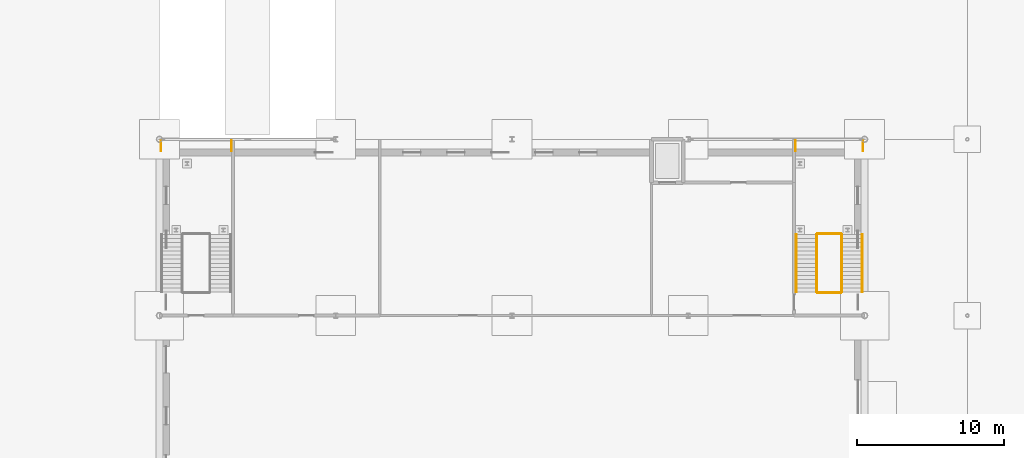
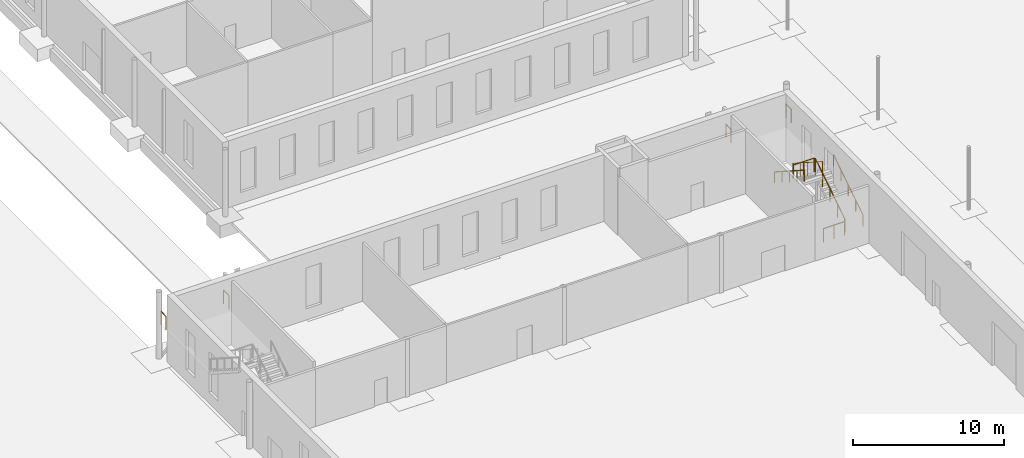
# One storey, part 124 of 132: 10 railings.
"""IFC4 building model written with IfcOpenShell, lengths in metres."""

import ifcopenshell
import ifcopenshell.guid

model = None  # the IFC model being written
_history = None  # IfcOwnerHistory: only IFC2X3 demands one
_inside = {}  # id of a spatial element -> (the spatial element, [elements in it])
_under = {}  # id of a project, library or spatial element -> (it, [spatial elements below it])
_declared = {}  # id of a project -> (the project, [libraries it declares])
_typed = {}  # id of a type object -> (the type object, [elements of that type])
_made_of = {}  # id of a material, layer set ... -> (it, [elements and type objects made of it])


def new_model(schema):
    """Start an empty IFC model of exactly this schema.

    Asked for "IFC4X3", IfcOpenShell would pick the latest addendum, in which some entities
    have other attributes; the version numbers below select the first issue.
    IFC2X3 requires an IfcOwnerHistory on every rooted entity: one is made here for all.
    """
    global model, _history
    if schema == "IFC4X3":
        model = ifcopenshell.file(schema_version=(4, 3, 0, 0))
    else:
        model = ifcopenshell.file(schema=schema)
    _inside.clear()
    _under.clear()
    _declared.clear()
    _typed.clear()
    _made_of.clear()
    _history = None
    if model.schema == "IFC2X3":
        org = make("IfcOrganization", Name="unknown")
        user = make(
            "IfcPersonAndOrganization",
            ThePerson=make("IfcPerson", FamilyName="unknown"),
            TheOrganization=org,
        )
        app = make(
            "IfcApplication",
            ApplicationDeveloper=org,
            Version="unknown",
            ApplicationFullName="unknown",
            ApplicationIdentifier="unknown",
        )
        _history = make(
            "IfcOwnerHistory",
            OwningUser=user,
            OwningApplication=app,
            ChangeAction="ADDED",
            CreationDate=0,
        )
    return model


def make(cls, **values):
    """One entity of the class cls with the attributes given. An attribute that is None is left unset."""
    return model.create_entity(
        cls, **{name: value for name, value in values.items() if value is not None}
    )


def rooted(cls, **values):
    """An entity with a GlobalId (a new one), such as an element, a storey or a relation."""
    return make(cls, GlobalId=ifcopenshell.guid.new(), OwnerHistory=_history, **values)


def si_unit(unit_type, name, prefix=None):
    """IfcSIUnit, for example si_unit("LENGTHUNIT", "METRE", prefix="MILLI")."""
    return make("IfcSIUnit", UnitType=unit_type, Prefix=prefix, Name=name)


def assignment(units):
    """IfcUnitAssignment: the units of a project."""
    return None if units is None else make("IfcUnitAssignment", Units=units)


def point(xyz):
    """IfcCartesianPoint."""
    return None if xyz is None else make("IfcCartesianPoint", Coordinates=xyz)


def direction(xyz):
    """IfcDirection."""
    return None if xyz is None else make("IfcDirection", DirectionRatios=xyz)


def frame(location, z_axis=None, x_axis=None):
    """IfcAxis2Placement3D, a coordinate frame: its origin and axes. An axis left out is left unset."""
    return make(
        "IfcAxis2Placement3D",
        Location=point(location),
        Axis=direction(z_axis),
        RefDirection=direction(x_axis),
    )


def frame_2d(location, x_axis=None):
    """IfcAxis2Placement2D, a coordinate frame in the plane: its origin and x axis."""
    return make(
        "IfcAxis2Placement2D", Location=point(location), RefDirection=direction(x_axis)
    )


def origin():
    """The frame at (0, 0, 0) with its axes left unset."""
    return frame((0.0, 0.0, 0.0))


def origin_2d():
    """The frame at (0, 0) in the plane with its x axis left unset."""
    return frame_2d((0.0, 0.0))


def place(relative_to, where):
    """IfcLocalPlacement: puts the frame where relative to a parent placement (None: the world)."""
    return make(
        "IfcLocalPlacement", PlacementRelTo=relative_to, RelativePlacement=where
    )


def context(
    kind, dimensions, precision=None, world=None, true_north=None, identifier=None
):
    """IfcGeometricRepresentationContext, for example the 3D "Model" context."""
    return make(
        "IfcGeometricRepresentationContext",
        ContextIdentifier=identifier,
        ContextType=kind,
        CoordinateSpaceDimension=dimensions,
        Precision=precision,
        WorldCoordinateSystem=world,
        TrueNorth=true_north,
    )


def subcontext(parent, identifier, kind, view, scale=None):
    """IfcGeometricRepresentationSubContext, for example "Body" below "Model"."""
    return make(
        "IfcGeometricRepresentationSubContext",
        ContextIdentifier=identifier,
        ContextType=kind,
        ParentContext=parent,
        TargetScale=scale,
        TargetView=view,
    )


def project(units=None, contexts=None):
    """IfcProject with its units and contexts."""
    return rooted(
        "IfcProject",
        Name="project",
        RepresentationContexts=contexts,
        UnitsInContext=assignment(units),
    )


def spatial(cls, under=None, at=None, **own):
    """A site, building, storey or space (cls), placed at a placement, below another one or the project."""
    s = rooted(cls, ObjectPlacement=at, **own)
    if under is not None:
        _under.setdefault(under.id(), (under, []))[1].append(s)
    return s


def profile(cls, at=None, kind="AREA", **sizes):
    """A parametric profile (cls). Its sizes go by their IFC names, for example OverallWidth=200.0."""
    return make(cls, ProfileType=kind, Position=at, **sizes)


def circle(**sizes):
    """IfcCircleProfileDef."""
    return profile("IfcCircleProfileDef", **sizes)


def extrude(swept, where, along, depth):
    """IfcExtrudedAreaSolid: the profile swept, set in the frame where, extruded along a direction by depth."""
    return make(
        "IfcExtrudedAreaSolid",
        SweptArea=swept,
        Position=where,
        ExtrudedDirection=direction(along),
        Depth=depth,
    )


def shape(context_of_items, identifier, shape_type, items):
    """IfcShapeRepresentation: the items that make up one representation, for example the "Body"."""
    return make(
        "IfcShapeRepresentation",
        ContextOfItems=context_of_items,
        RepresentationIdentifier=identifier,
        RepresentationType=shape_type,
        Items=items,
    )


def material(Name=None, Category=None):
    """IfcMaterial."""
    return make("IfcMaterial", Name=Name, Category=Category)


def made_of(thing, what):
    """Note that an element or type object is made of a material, layer set ...; save() writes the relation."""
    if what is not None:
        _made_of.setdefault(what.id(), (what, []))[1].append(thing)
    return thing


def type_object(cls, material=None, **own):
    """A type object (cls), such as IfcWallType, which elements share."""
    return made_of(rooted(cls, **own), material)


def element(
    cls,
    number,
    at=None,
    inside=None,
    cuts=None,
    type_object=None,
    material=None,
    context=None,
    identifier="Body",
    shape_type=None,
    held_by="IfcProductDefinitionShape",
    body=None,
    shapes=None,
    **own,
):
    """One element of the class cls, such as IfcWall. Its Tag is "e" and its number.

    at: its placement. inside: the storey or other place that contains it. cuts: it is an
    opening in that element (IfcRelVoidsElement). A single representation is given by context,
    identifier, shape_type and body (its items); several are given by shapes. held_by: the class
    of the entity that holds the representations. save() writes the other relations.
    """
    e = rooted(cls, Tag="e%d" % number, ObjectPlacement=at, **own)
    if body is not None:
        shapes = [shape(context, identifier, shape_type, body)]
    if shapes is not None:
        e.Representation = make(held_by, Representations=shapes)
    if inside is not None:
        _inside.setdefault(inside.id(), (inside, []))[1].append(e)
    if cuts is not None:
        rooted(
            "IfcRelVoidsElement", RelatingBuildingElement=cuts, RelatedOpeningElement=e
        )
    if type_object is not None:
        _typed.setdefault(type_object.id(), (type_object, []))[1].append(e)
    return made_of(e, material)


def aggregate(whole, parts):
    """IfcRelAggregates: a whole, such as a stair, and the parts it consists of."""
    return rooted("IfcRelAggregates", RelatingObject=whole, RelatedObjects=parts)


def save(model, path):
    """Write the relations noted so far, then the file.

    IfcRelAggregates (storeys below a building ...), IfcRelContainedInSpatialStructure (elements
    in a storey), IfcRelDefinesByType, IfcRelAssociatesMaterial and IfcRelDeclares: one each for
    every whole, place, type object, material and project.
    """
    for whole, parts in _under.values():
        aggregate(whole, parts)
    for where, things in _inside.values():
        rooted(
            "IfcRelContainedInSpatialStructure",
            RelatedElements=things,
            RelatingStructure=where,
        )
    for kind, things in _typed.values():
        rooted("IfcRelDefinesByType", RelatedObjects=things, RelatingType=kind)
    for what, things in _made_of.values():
        rooted("IfcRelAssociatesMaterial", RelatedObjects=things, RelatingMaterial=what)
    for by, libraries in _declared.values():
        rooted("IfcRelDeclares", RelatingContext=by, RelatedDefinitions=libraries)
    model.write(path)


model = new_model("IFC4")

# Units and contexts
model_context = context("Model", 3, precision=1e-05, world=origin(), true_north=direction((0.0, 1.0)))
body_context = subcontext(model_context, "Body", "Model", "MODEL_VIEW")
ifc_project = project(units=[si_unit("LENGTHUNIT", "METRE"), si_unit("AREAUNIT", "SQUARE_METRE"), si_unit("VOLUMEUNIT", "CUBIC_METRE"), si_unit("PLANEANGLEUNIT", "RADIAN"), si_unit("MASSUNIT", "GRAM", prefix="KILO")], contexts=[model_context])

# Site, building, storey
site_placement = place(None, origin())
site = spatial("IfcSite", under=ifc_project, at=site_placement, CompositionType="ELEMENT")
building_placement = place(site_placement, origin())
building = spatial("IfcBuilding", under=site, at=building_placement, Name="Ravi Spectrum Wholesale Market", CompositionType="ELEMENT")
storey_placement = place(building_placement, origin())
storey = spatial("IfcBuildingStorey", under=building, at=storey_placement, Name="L00", CompositionType="ELEMENT", Elevation=0.0)

# Railings
ifc_material_1 = material(Name="Steel S355", Category="steel")
railing_type_1 = type_object("IfcRailingType", Name="Guard 1100", PredefinedType="GUARDRAIL", material=ifc_material_1)
for number, where, name in (
    (1, (193.300048828125, 125.199951171875, 2.699951171875), "H2-RL-S-H2-1-END-0-W"),
    (2, (197.89990234375, 125.199951171875, 2.699951171875), "H2-RL-S-H2-1-END-0-E"),
):
    element("IfcRailing", number, at=place(storey_placement, frame(where)), inside=storey, type_object=railing_type_1, Name=name, PredefinedType="GUARDRAIL", context=body_context, shape_type="SweptSolid", body=[
        extrude(circle(Radius=0.02392578125, at=origin_2d()), frame((0.0, 0.0, 1.076171875), z_axis=(0.0, 1.0, 0.0), x_axis=(-1.0, 0.0, 0.0)), (0.0, 0.0, 1.0), 0.699951171875),
        extrude(circle(Radius=0.02099609375, at=origin_2d()), origin(), (0.0, 0.0, 1.0), 1.052001953125),
        extrude(circle(Radius=0.02099609375, at=origin_2d()), frame((0.0, 0.699951171875, 0.0)), (0.0, 0.0, 1.0), 1.052001953125),
    ])
railing_1_placement = place(storey_placement, frame((196.449951171875, 115.60009765625, 0.179931640625)))
element("IfcRailing", 3, at=railing_1_placement, inside=storey, type_object=railing_type_1, Name="L00 S-H2-1 stair guard 1", PredefinedType="GUARDRAIL", context=body_context, shape_type="SweptSolid", body=[
    extrude(circle(Radius=0.02392578125, at=origin_2d()), frame((0.0, 0.0, 1.076171875), z_axis=(0.0, 0.841171666519, 0.540768182723), x_axis=(-1.0, 0.0, 0.0)), (0.0, 0.0, 1.0), 4.66015625),
    extrude(circle(Radius=0.02099609375, at=origin_2d()), origin(), (0.0, 0.0, 1.0), 1.052001953125),
    extrude(circle(Radius=0.02099609375, at=origin_2d()), frame((0.0, 0.97998046875, 0.6298828125)), (0.0, 0.0, 1.0), 1.052001953125),
    extrude(circle(Radius=0.02099609375, at=origin_2d()), frame((0.0, 1.9599609375, 1.260009765625)), (0.0, 0.0, 1.0), 1.052001953125),
    extrude(circle(Radius=0.02099609375, at=origin_2d()), frame((0.0, 2.93994140625, 1.89013671875)), (0.0, 0.0, 1.0), 1.052001953125),
    extrude(circle(Radius=0.02099609375, at=origin_2d()), frame((0.0, 3.919921875, 2.52001953125)), (0.0, 0.0, 1.0), 1.052001953125),
])
railing_2_placement = place(storey_placement, frame((196.39990234375, 119.570068359375, 2.699951171875)))
element("IfcRailing", 4, at=railing_2_placement, inside=storey, type_object=railing_type_1, Name="L00 S-H2-1 stair guard 2", PredefinedType="GUARDRAIL", context=body_context, shape_type="SweptSolid", body=[
    extrude(circle(Radius=0.02392578125, at=origin_2d()), frame((0.0, 0.0, 1.076171875), z_axis=(-1.0, 0.0, 0.0), x_axis=(0.0, -1.0, 0.0)), (0.0, 0.0, 1.0), 1.599853515625),
    extrude(circle(Radius=0.02099609375, at=origin_2d()), origin(), (0.0, 0.0, 1.0), 1.052001953125),
    extrude(circle(Radius=0.02099609375, at=origin_2d()), frame((-0.7998046875, 0.0, 0.0)), (0.0, 0.0, 1.0), 1.052001953125),
    extrude(circle(Radius=0.02099609375, at=origin_2d()), frame((-1.599853515625, 0.0, 0.0)), (0.0, 0.0, 1.0), 1.052001953125),
])
railing_3_placement = place(storey_placement, frame((194.75, 119.52001953125, 2.8798828125)))
element("IfcRailing", 5, at=railing_3_placement, inside=storey, type_object=railing_type_1, Name="L00 S-H2-1 stair guard 3", PredefinedType="GUARDRAIL", context=body_context, shape_type="SweptSolid", body=[
    extrude(circle(Radius=0.02392578125, at=origin_2d()), frame((0.0, 0.0, 1.076171875), z_axis=(0.0, -0.841171666519, 0.540768182723), x_axis=(1.0, 0.0, 0.0)), (0.0, 0.0, 1.0), 4.66015625),
    extrude(circle(Radius=0.02099609375, at=origin_2d()), origin(), (0.0, 0.0, 1.0), 1.052001953125),
    extrude(circle(Radius=0.02099609375, at=origin_2d()), frame((0.0, -0.97998046875, 0.6298828125)), (0.0, 0.0, 1.0), 1.052001953125),
    extrude(circle(Radius=0.02099609375, at=origin_2d()), frame((0.0, -1.9599609375, 1.260009765625)), (0.0, 0.0, 1.0), 1.052001953125),
    extrude(circle(Radius=0.02099609375, at=origin_2d()), frame((0.0, -2.93994140625, 1.89013671875)), (0.0, 0.0, 1.0), 1.052001953125),
    extrude(circle(Radius=0.02099609375, at=origin_2d()), frame((0.0, -3.919921875, 2.52001953125)), (0.0, 0.0, 1.0), 1.052001953125),
])
railing_4_placement = place(storey_placement, frame((196.39990234375, 115.550048828125, 0.0)))
element("IfcRailing", 6, at=railing_4_placement, inside=storey, type_object=railing_type_1, Name="L00 S-H2-1 stair guard 4", PredefinedType="GUARDRAIL", context=body_context, shape_type="SweptSolid", body=[
    extrude(circle(Radius=0.02392578125, at=origin_2d()), frame((0.0, 0.0, 1.076171875), z_axis=(-1.0, 0.0, 0.0), x_axis=(0.0, -1.0, 0.0)), (0.0, 0.0, 1.0), 1.599853515625),
    extrude(circle(Radius=0.02099609375, at=origin_2d()), origin(), (0.0, 0.0, 1.0), 1.052001953125),
    extrude(circle(Radius=0.02099609375, at=origin_2d()), frame((-0.7998046875, 0.0, 0.0)), (0.0, 0.0, 1.0), 1.052001953125),
    extrude(circle(Radius=0.02099609375, at=origin_2d()), frame((-1.599853515625, 0.0, 0.0)), (0.0, 0.0, 1.0), 1.052001953125),
])
for number, where, name in (
    (7, (150.10009765625, 125.199951171875, 2.699951171875), "H2-RL-S-H2-2-END-0-W"),
    (8, (154.89990234375, 125.199951171875, 2.699951171875), "H2-RL-S-H2-2-END-0-E"),
):
    element("IfcRailing", number, at=place(storey_placement, frame(where)), inside=storey, type_object=railing_type_1, Name=name, PredefinedType="GUARDRAIL", context=body_context, shape_type="SweptSolid", body=[
        extrude(circle(Radius=0.02392578125, at=origin_2d()), frame((0.0, 0.0, 1.076171875), z_axis=(0.0, 1.0, 0.0), x_axis=(-1.0, 0.0, 0.0)), (0.0, 0.0, 1.0), 0.699951171875),
        extrude(circle(Radius=0.02099609375, at=origin_2d()), origin(), (0.0, 0.0, 1.0), 1.052001953125),
        extrude(circle(Radius=0.02099609375, at=origin_2d()), frame((0.0, 0.699951171875, 0.0)), (0.0, 0.0, 1.0), 1.052001953125),
    ])
ifc_material_2 = material(Name="Stainless steel", Category="steel")
railing_type_2 = type_object("IfcRailingType", Name="Handrail 900", PredefinedType="HANDRAIL", material=ifc_material_2)
railing_5_placement = place(storey_placement, frame((197.85009765625, 115.60009765625, 0.179931640625)))
element("IfcRailing", 9, at=railing_5_placement, inside=storey, type_object=railing_type_2, Name="L00 S-H2-1 stair handrail 1", PredefinedType="HANDRAIL", context=body_context, shape_type="SweptSolid", body=[
    extrude(circle(Radius=0.02392578125, at=origin_2d()), frame((0.0, 0.0, 0.8759765625), z_axis=(0.0, 0.841171666519, 0.540768182723), x_axis=(-1.0, 0.0, 0.0)), (0.0, 0.0, 1.0), 4.66015625),
    extrude(circle(Radius=0.02099609375, at=origin_2d()), origin(), (0.0, 0.0, 1.0), 0.851806640625),
    extrude(circle(Radius=0.02099609375, at=origin_2d()), frame((0.0, 0.97998046875, 0.6298828125)), (0.0, 0.0, 1.0), 0.851806640625),
    extrude(circle(Radius=0.02099609375, at=origin_2d()), frame((0.0, 1.9599609375, 1.260009765625)), (0.0, 0.0, 1.0), 0.851806640625),
    extrude(circle(Radius=0.02099609375, at=origin_2d()), frame((0.0, 2.93994140625, 1.89013671875)), (0.0, 0.0, 1.0), 0.851806640625),
    extrude(circle(Radius=0.02099609375, at=origin_2d()), frame((0.0, 3.919921875, 2.52001953125)), (0.0, 0.0, 1.0), 0.851806640625),
])
railing_6_placement = place(storey_placement, frame((193.35009765625, 119.52001953125, 2.8798828125)))
element("IfcRailing", 10, at=railing_6_placement, inside=storey, type_object=railing_type_2, Name="L00 S-H2-1 stair handrail 2", PredefinedType="HANDRAIL", context=body_context, shape_type="SweptSolid", body=[
    extrude(circle(Radius=0.02392578125, at=origin_2d()), frame((0.0, 0.0, 0.8759765625), z_axis=(0.0, -0.841171666519, 0.540768182723), x_axis=(1.0, 0.0, 0.0)), (0.0, 0.0, 1.0), 4.66015625),
    extrude(circle(Radius=0.02099609375, at=origin_2d()), origin(), (0.0, 0.0, 1.0), 0.851806640625),
    extrude(circle(Radius=0.02099609375, at=origin_2d()), frame((0.0, -0.97998046875, 0.6298828125)), (0.0, 0.0, 1.0), 0.851806640625),
    extrude(circle(Radius=0.02099609375, at=origin_2d()), frame((0.0, -1.9599609375, 1.260009765625)), (0.0, 0.0, 1.0), 0.851806640625),
    extrude(circle(Radius=0.02099609375, at=origin_2d()), frame((0.0, -2.93994140625, 1.89013671875)), (0.0, 0.0, 1.0), 0.851806640625),
    extrude(circle(Radius=0.02099609375, at=origin_2d()), frame((0.0, -3.919921875, 2.52001953125)), (0.0, 0.0, 1.0), 0.851806640625),
])

save(model, "model.ifc")
